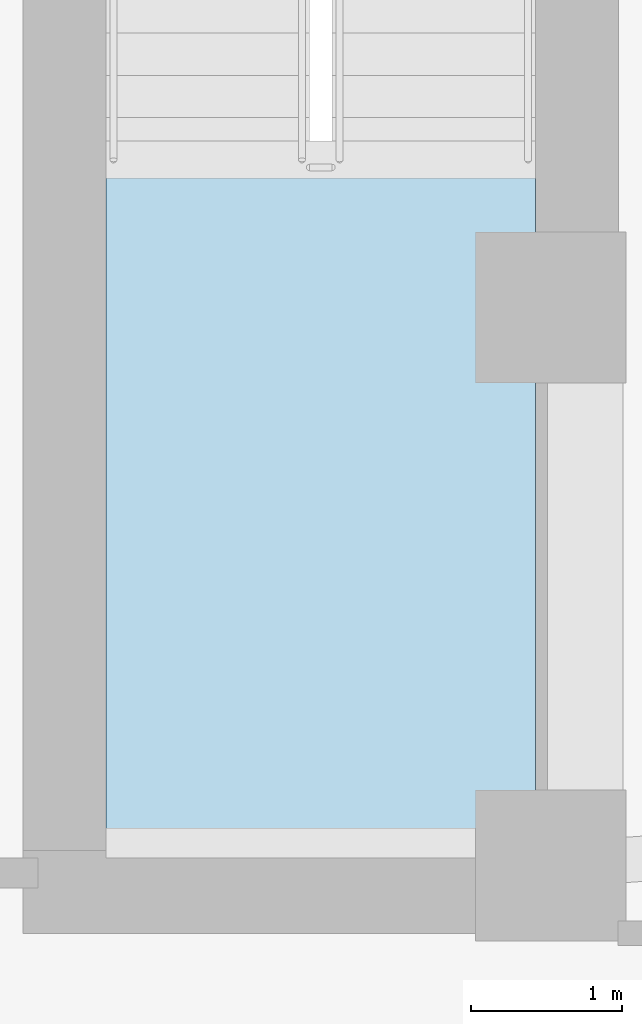
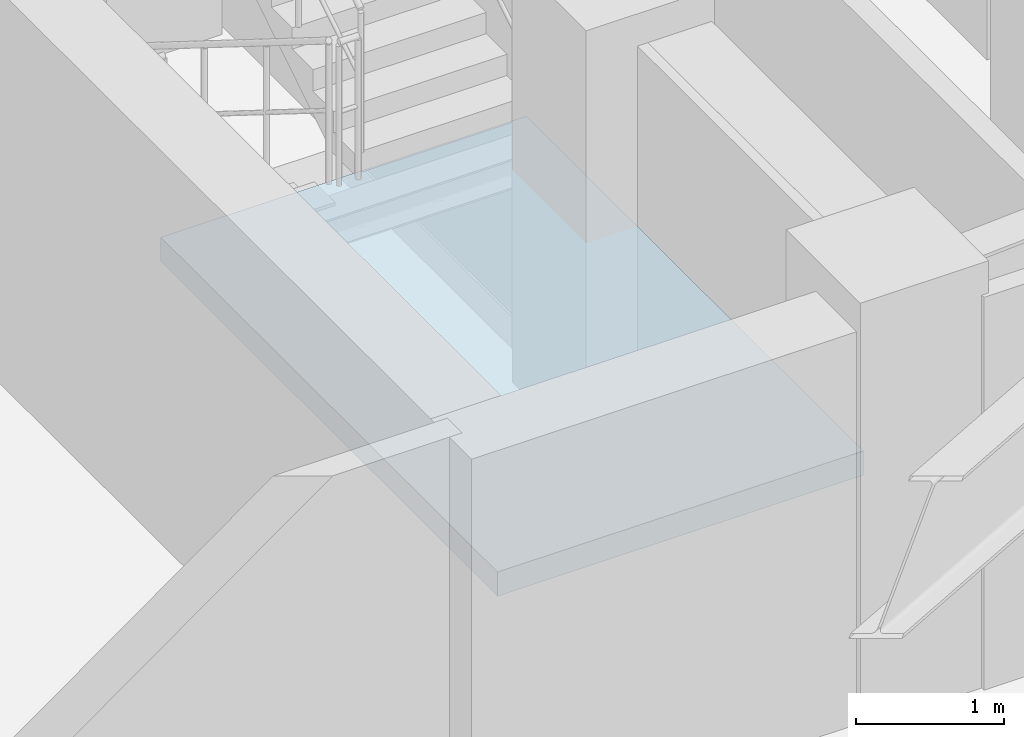
# One storey, part 3 of 14: 1 slab, 1 element without a shape of its own.
"""IFC4 building model written with IfcOpenShell, lengths in metres."""

from ifc_helpers import new_model, si_unit, direction, frame, origin, place, context, subcontext, project, spatial, polyline, outline, extrude, material, layer, layer_set, type_object, element, aggregate, save


model = new_model("IFC4")

# Units and contexts
model_context = context("Model", 3, precision=1e-05, world=origin(), true_north=direction((0.0, 1.0)))
body_context = subcontext(model_context, "Body", "Model", "MODEL_VIEW")
ifc_project = project(units=[si_unit("LENGTHUNIT", "METRE"), si_unit("AREAUNIT", "SQUARE_METRE"), si_unit("VOLUMEUNIT", "CUBIC_METRE"), si_unit("PLANEANGLEUNIT", "RADIAN"), si_unit("MASSUNIT", "GRAM", prefix="KILO")], contexts=[model_context])

# Site, building, storey
site_placement = place(None, origin())
site = spatial("IfcSite", under=ifc_project, at=site_placement, CompositionType="ELEMENT")
building_placement = place(site_placement, origin())
building = spatial("IfcBuilding", under=site, at=building_placement, Name="Miruveldt Soraemaru", CompositionType="ELEMENT")
storey_placement = place(building_placement, frame((0.0, 0.0, 114.39990234375)))
storey = spatial("IfcBuildingStorey", under=building, at=storey_placement, Name="L31", CompositionType="ELEMENT", Elevation=114.39990234375)

# Stair, slab
ifc_material = material(Name="Concrete C40/50 (40 MPa)", Category="concrete")
stair_type = type_object("IfcStairType", Name="STAIR-DL-350", PredefinedType="HALF_TURN_STAIR", material=ifc_material)
stair_placement = place(storey_placement, origin())
stair = element("IfcStair", 1, at=stair_placement, inside=storey, type_object=stair_type, Name="L31 Protected Exit Stair ST-2", PredefinedType="HALF_TURN_STAIR")
ifc_layer = layer(ifc_material, 0.199951171875, Name="Concrete C40/50 (40 MPa)", Category="concrete")
ifc_layer_set = layer_set([ifc_layer], Name="Concrete C40/50 (40 MPa)")
slab_type = type_object("IfcSlabType", Name="SLAB-LAND-200", PredefinedType="LANDING", material=ifc_layer_set)
slab_placement = place(storey_placement, frame((0.0, 0.0, 1.550048828125)))
slab = element("IfcSlab", 2, at=slab_placement, type_object=slab_type, Name="ST-2 landing 1", PredefinedType="LANDING", context=body_context, shape_type="SweptSolid", body=[
    extrude(outline(polyline([(49.550048828125, 40.197998046875), (49.550048828125, 35.64990234375), (52.39990234375, 35.64990234375), (52.39990234375, 40.197998046875), (49.550048828125, 40.197998046875)])), origin(), (0.0, 0.0, 1.0), 0.199951171875),
])
aggregate(stair, [slab])

save(model, "model.ifc")
